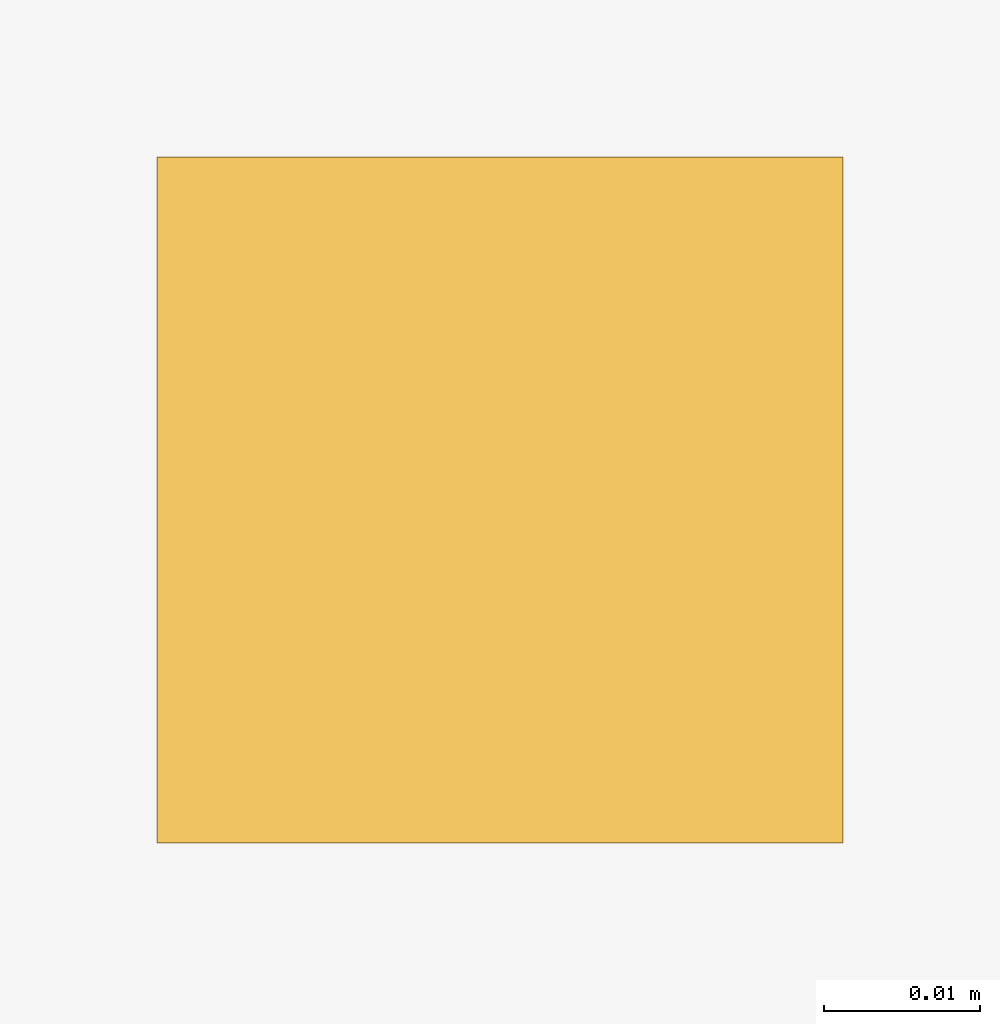
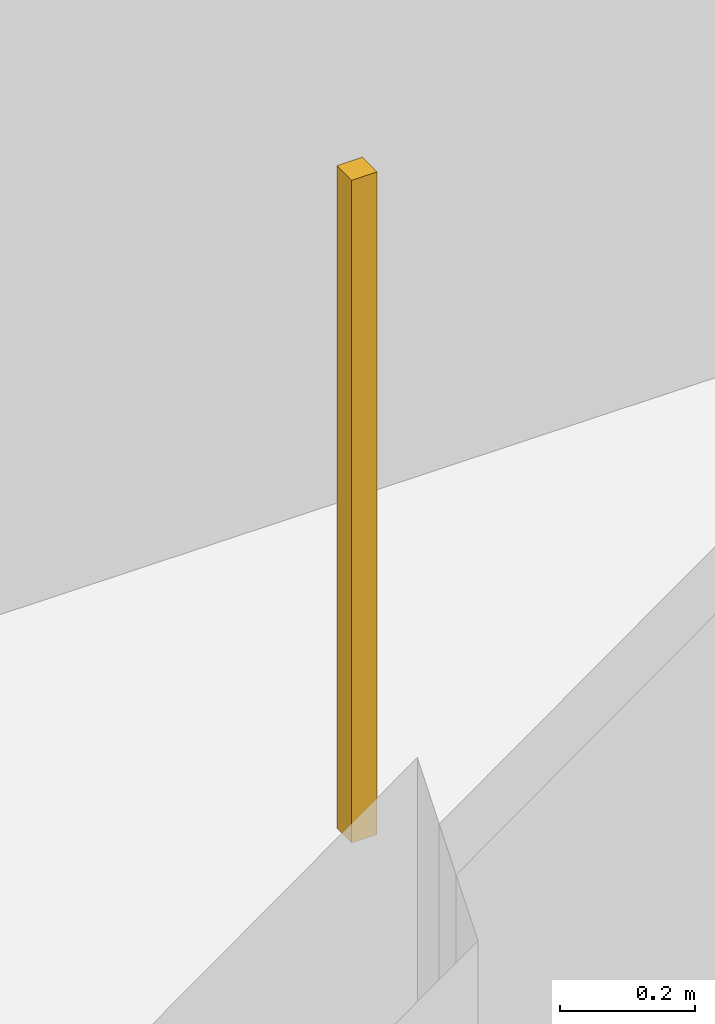
# One storey, part 8 of 10: 1 railing.
"""IFC4 building model written with IfcOpenShell, lengths in metres."""

from ifc_helpers import new_model, si_unit, direction, frame, origin, origin_2d, place, context, subcontext, project, spatial, rectangle, extrude, material, type_object, element, save


model = new_model("IFC4")

# Units and contexts
model_context = context("Model", 3, precision=1e-05, world=origin(), true_north=direction((0.0, 1.0)))
body_context = subcontext(model_context, "Body", "Model", "MODEL_VIEW")
ifc_project = project(units=[si_unit("LENGTHUNIT", "METRE"), si_unit("AREAUNIT", "SQUARE_METRE"), si_unit("VOLUMEUNIT", "CUBIC_METRE"), si_unit("PLANEANGLEUNIT", "RADIAN"), si_unit("MASSUNIT", "GRAM", prefix="KILO")], contexts=[model_context])

# Site, building, storey
site_placement = place(None, origin())
site = spatial("IfcSite", under=ifc_project, at=site_placement, CompositionType="ELEMENT")
building_placement = place(site_placement, origin())
building = spatial("IfcBuilding", under=site, at=building_placement, Name="Yunling Apex Tower", CompositionType="ELEMENT")
storey_placement = place(building_placement, frame((0.0, 0.0, 314.0)))
storey = spatial("IfcBuildingStorey", under=building, at=storey_placement, Name="L77", CompositionType="ELEMENT", Elevation=314.0)

# Railing
ifc_material = material(Name="Bronze anodised aluminium", Category="aluminium")
railing_type = type_object("IfcRailingType", Name="RL-BAL-1200", PredefinedType="BALUSTRADE", material=ifc_material)
railing_placement = place(storey_placement, origin())
element("IfcRailing", 1, at=railing_placement, inside=storey, type_object=railing_type, Name="RL-TATR-L77", PredefinedType="BALUSTRADE", context=body_context, shape_type="SweptSolid", body=[
    extrude(rectangle(XDim=0.0439453125, YDim=0.0439453125, at=origin_2d()), origin(), (0.0, 0.0, 1.0), 1.199951171875),
])

save(model, "model.ifc")
